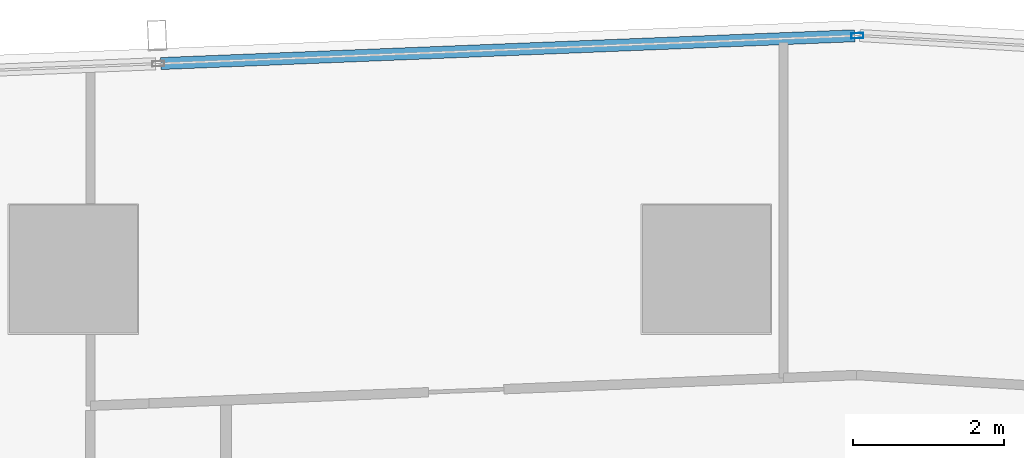
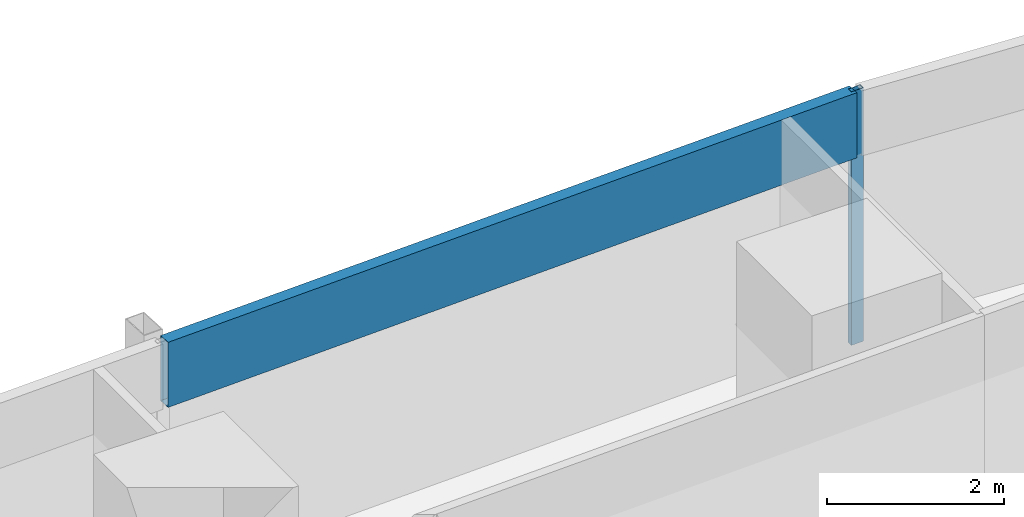
# One storey, part 21 of 40: 2 members, 1 element without a shape of its own.
"""IFC4 building model written with IfcOpenShell, lengths in metres."""

from ifc_helpers import new_model, si_unit, direction, frame, origin, origin_2d, place, context, subcontext, project, spatial, hollow_rectangle, extrude, material, material_profile, profile_set, type_object, element, aggregate, save


model = new_model("IFC4")

# Units and contexts
model_context = context("Model", 3, precision=1e-05, world=origin(), true_north=direction((0.0, 1.0)))
body_context = subcontext(model_context, "Body", "Model", "MODEL_VIEW")
ifc_project = project(units=[si_unit("LENGTHUNIT", "METRE"), si_unit("AREAUNIT", "SQUARE_METRE"), si_unit("VOLUMEUNIT", "CUBIC_METRE"), si_unit("PLANEANGLEUNIT", "RADIAN"), si_unit("MASSUNIT", "GRAM", prefix="KILO")], contexts=[model_context])

# Site, building, storey
site_placement = place(None, origin())
site = spatial("IfcSite", under=ifc_project, at=site_placement, CompositionType="ELEMENT")
building_placement = place(site_placement, origin())
building = spatial("IfcBuilding", under=site, at=building_placement, Name="Rekha Terrace Tower", CompositionType="ELEMENT")
storey_placement = place(building_placement, frame((0.0, 0.0, 102.800048828125)))
storey = spatial("IfcBuildingStorey", under=building, at=storey_placement, Name="L25", CompositionType="ELEMENT", Elevation=102.800048828125)

# Curtain wall, members
ifc_material_1 = material(Name="Aluminium framing", Category="aluminium")
curtain_wall_type = type_object("IfcCurtainWallType", Name="CW3 north unitised glazing", PredefinedType="USERDEFINED", material=ifc_material_1)
curtain_wall_placement = place(storey_placement, origin())
curtain_wall = element("IfcCurtainWall", 1, at=curtain_wall_placement, inside=storey, type_object=curtain_wall_type, Name="CW3 unitised curtain wall", ObjectType="UNITISED CURTAIN WALL", PredefinedType="USERDEFINED")
ifc_material_2 = material(Name="Aluminium mullion section", Category="aluminium")
ifc_material_profile_1 = material_profile(ifc_material_2, hollow_rectangle(XDim=0.070068359375, YDim=0.159912109375, WallThickness=0.00390625, at=origin_2d()), Name="AL RHS 70x160")
ifc_profile_set_1 = profile_set([ifc_material_profile_1], Name="Aluminium mullion section")
member_type_1 = type_object("IfcMemberType", Name="CW3 mullion RHS 70 x 160", PredefinedType="MULLION", material=ifc_profile_set_1)
member_1_placement = place(storey_placement, frame((44.0029296875, 61.8984375, 0.0), z_axis=(0.0, 0.0, 1.0), x_axis=(0.040031987119, -0.999198398721, 0.0)))
member_1 = element("IfcMember", 2, at=member_1_placement, type_object=member_type_1, Name="CW3 mullion 1", PredefinedType="MULLION", context=body_context, shape_type="SweptSolid", body=[
    extrude(hollow_rectangle(XDim=0.070068359375, YDim=0.159912109375, WallThickness=0.00390625, at=origin_2d()), origin(), (0.0, 0.0, 1.0), 3.5),
])
ifc_material_3 = material(Name="Insulated aluminium spandrel box", Category="aluminium")
ifc_material_profile_2 = material_profile(ifc_material_3, hollow_rectangle(XDim=0.159912109375, YDim=0.89990234375, WallThickness=0.0029296875, at=origin_2d()), Name="AL SPANDREL BOX 160x900")
ifc_profile_set_2 = profile_set([ifc_material_profile_2], Name="Insulated aluminium spandrel box")
member_type_2 = type_object("IfcMemberType", Name="CW3 spandrel transom 160 x 900", PredefinedType="USERDEFINED", material=ifc_profile_set_2)
member_2_placement = place(storey_placement, frame((43.968017578125, 61.89697265625, 3.050048828125), z_axis=(-0.999198290018, -0.04003470026, 0.0), x_axis=(0.04003470026, -0.999198290018, 0.0)))
member_2 = element("IfcMember", 3, at=member_2_placement, type_object=member_type_2, Name="CW3 spandrel transom 1", ObjectType="TRANSOM", PredefinedType="USERDEFINED", context=body_context, shape_type="SweptSolid", body=[
    extrude(hollow_rectangle(XDim=0.159912109375, YDim=0.89990234375, WallThickness=0.0029296875, at=origin_2d()), origin(), (0.0, 0.0, 1.0), 9.21435546875),
])
aggregate(curtain_wall, [member_1, member_2])

save(model, "model.ifc")
